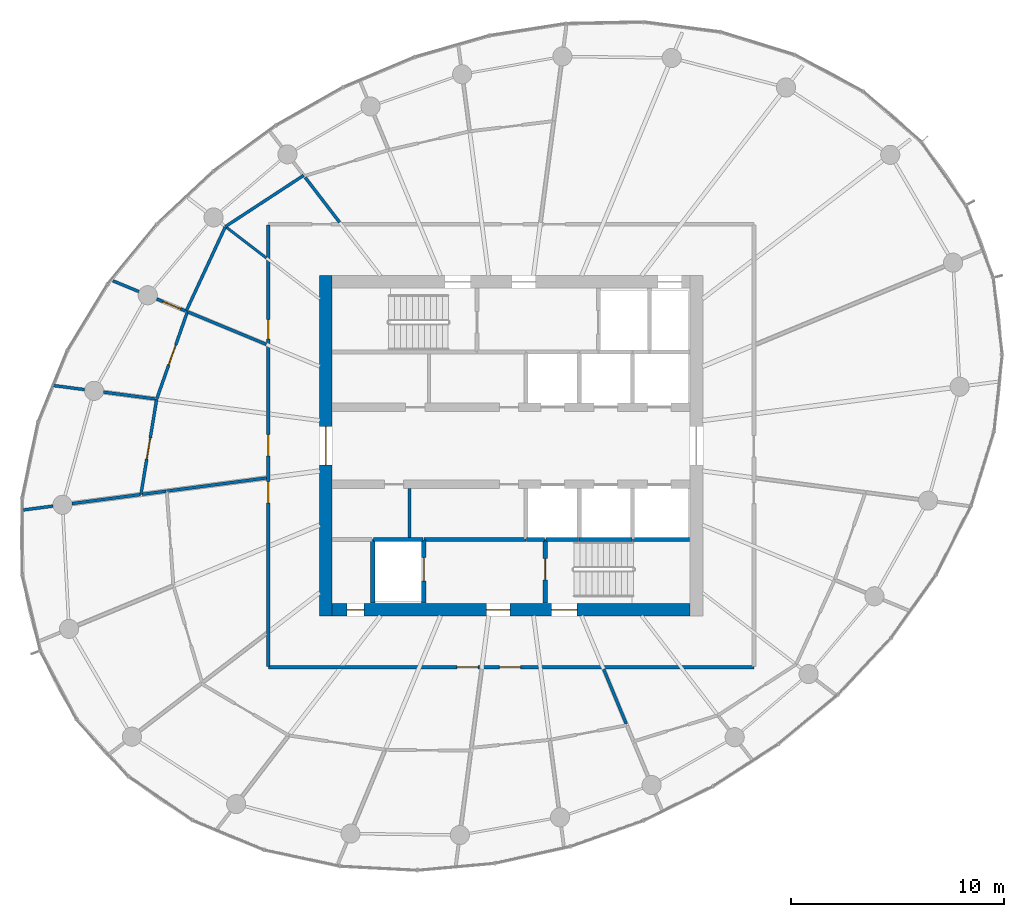
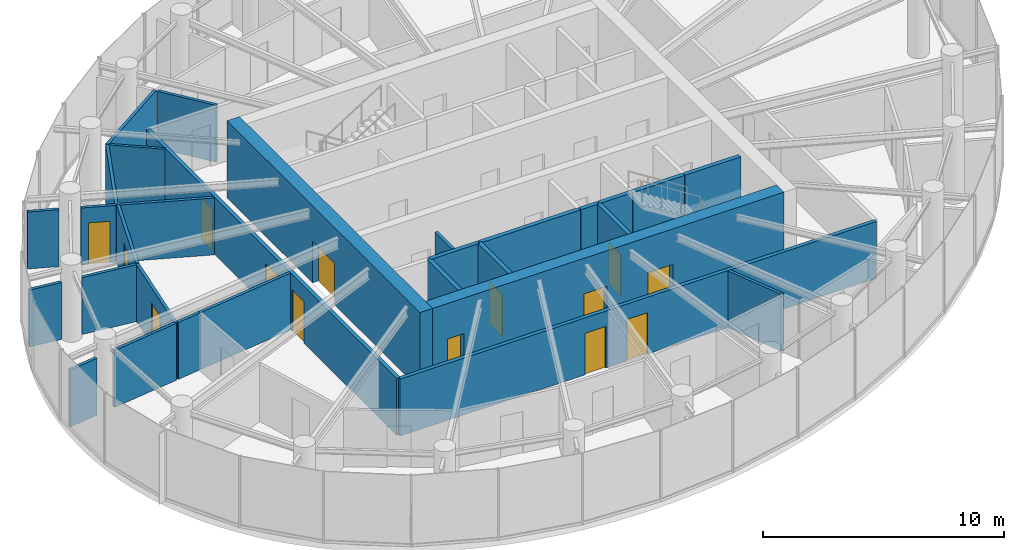
# One storey, part 9 of 13: 30 walls, 14 doors, 14 openings.
"""IFC4 building model written with IfcOpenShell, lengths in metres."""

from ifc_helpers import new_model, si_unit, direction, frame, frame_2d, origin, place, context, subcontext, project, spatial, rectangle, extrude, source, transform, mapped, material, layer, layer_set, type_object, element, fill, save


model = new_model("IFC4")

# Units and contexts
model_context = context("Model", 3, precision=1e-05, world=origin(), true_north=direction((0.0, 1.0)))
body_context = subcontext(model_context, "Body", "Model", "MODEL_VIEW")
ifc_project = project(units=[si_unit("LENGTHUNIT", "METRE"), si_unit("AREAUNIT", "SQUARE_METRE"), si_unit("VOLUMEUNIT", "CUBIC_METRE"), si_unit("PLANEANGLEUNIT", "RADIAN"), si_unit("MASSUNIT", "GRAM", prefix="KILO")], contexts=[model_context])

# Site, building, storey
site_placement = place(None, origin())
site = spatial("IfcSite", under=ifc_project, at=site_placement, CompositionType="ELEMENT")
building_placement = place(site_placement, origin())
building = spatial("IfcBuilding", under=site, at=building_placement, Name="Spindrift Exchange Tower", CompositionType="ELEMENT")
storey_placement = place(building_placement, frame((0.0, 0.0, 222.800048828125)))
storey = spatial("IfcBuildingStorey", under=building, at=storey_placement, Name="L54", CompositionType="ELEMENT", Elevation=222.800048828125)

# Wall, opening, door
ifc_material_1 = material(Name="Concrete 50 MPa", Category="concrete")
ifc_layer_1 = layer(ifc_material_1, 0.60009765625)
ifc_layer_set_1 = layer_set([ifc_layer_1], Name="RC Core Wall 600 Concrete 50 MPa")
wall_type_1 = type_object("IfcWallType", Name="RC Core Wall 600 Concrete 50 MPa", PredefinedType="SHEAR", material=ifc_layer_set_1)
wall_1_placement = place(storey_placement, frame((43.300048828125, 56.0, 0.0), z_axis=(0.0, 0.0, 1.0), x_axis=(0.0, -1.0, 0.0)))
wall_1 = element("IfcWall", 1, at=wall_1_placement, inside=storey, type_object=wall_type_1, Name="Core wall W L54", PredefinedType="SHEAR", context=body_context, shape_type="SweptSolid", body=[
    extrude(rectangle(XDim=16.0, YDim=0.60009765625, at=frame_2d((8.0, 0.0))), origin(), (0.0, 0.0, 1.0), 3.89990234375),
])
opening_1_placement = place(wall_1_placement, frame((7.10009765625, 0.0, 0.0)))
opening_1 = element("IfcOpeningElement", 2, at=opening_1_placement, cuts=wall_1, Name="Opening L54-D1", PredefinedType="OPENING", context=body_context, shape_type="SweptSolid", body=[
    extrude(rectangle(XDim=1.800048828125, YDim=2.10009765625, at=frame_2d((0.89990234375, 1.050048828125))), frame((0.0, 0.31005859375, 0.0), z_axis=(0.0, -1.0, 0.0), x_axis=(1.0, 0.0, 0.0)), (0.0, 0.0, 1.0), 0.6201171875),
])
ifc_material_2 = material(Name="Timber-core fire door", Category="wood")
door_type_1 = type_object("IfcDoorType", Name="DR-LOBBY-1800", OperationType="NOTDEFINED", PredefinedType="DOOR", material=ifc_material_2)
shared_shape_1 = source(origin(), body_context, "Body", "SweptSolid", [
    extrude(rectangle(XDim=1.800048828125, YDim=2.10009765625, at=frame_2d((0.89990234375, 1.050048828125))), frame((0.0, 0.02490234375, 0.0), z_axis=(0.0, -1.0, 0.0), x_axis=(1.0, 0.0, 0.0)), (0.0, 0.0, 1.0), 0.050048828125),
])
door_1_placement = place(opening_1_placement, origin())
door_1 = element("IfcDoor", 3, at=door_1_placement, inside=storey, type_object=door_type_1, Name="L54 Lobby door 1", OperationType="SINGLE_SWING_RIGHT", OverallHeight=2.10009765625, OverallWidth=1.800048828125, PredefinedType="DOOR", context=body_context, shape_type="MappedRepresentation", body=[
    mapped(shared_shape_1, transform((0.0, 0.0, 0.0), scale=1.0)),
])
fill(opening_1, door_1)

# Wall, openings, doors
wall_2_placement = place(storey_placement, frame((43.60009765625, 40.300048828125, 0.0), z_axis=(0.0, 0.0, 1.0), x_axis=(1.0, 0.0, 0.0)))
wall_2 = element("IfcWall", 4, at=wall_2_placement, inside=storey, type_object=wall_type_1, Name="Core wall S L54", PredefinedType="SHEAR", context=body_context, shape_type="SweptSolid", body=[
    extrude(rectangle(XDim=16.7998046875, YDim=0.60009765625, at=frame_2d((8.39990234375, 0.0))), origin(), (0.0, 0.0, 1.0), 3.89990234375),
])
opening_2_placement = place(wall_2_placement, frame((10.300048828125, 0.0, 0.0)))
opening_2 = element("IfcOpeningElement", 5, at=opening_2_placement, cuts=wall_2, Name="Opening L54-D15", PredefinedType="OPENING", context=body_context, shape_type="SweptSolid", body=[
    extrude(rectangle(XDim=1.199951171875, YDim=2.10009765625, at=frame_2d((0.60009765625, 1.050048828125))), frame((0.0, 0.31005859375, 0.0), z_axis=(0.0, -1.0, 0.0), x_axis=(1.0, 0.0, 0.0)), (0.0, 0.0, 1.0), 0.6201171875),
])
opening_3_placement = place(wall_2_placement, frame((7.25, 0.0, 0.0)))
opening_3 = element("IfcOpeningElement", 6, at=opening_3_placement, cuts=wall_2, Name="Opening L54-D17", PredefinedType="OPENING", context=body_context, shape_type="SweptSolid", body=[
    extrude(rectangle(XDim=1.10009765625, YDim=2.10009765625, at=frame_2d((0.550048828125, 1.050048828125))), frame((0.0, 0.31005859375, 0.0), z_axis=(0.0, -1.0, 0.0), x_axis=(1.0, 0.0, 0.0)), (0.0, 0.0, 1.0), 0.6201171875),
])
opening_4_placement = place(wall_2_placement, frame((0.699951171875, 0.0, 0.0)))
opening_4 = element("IfcOpeningElement", 7, at=opening_4_placement, cuts=wall_2, Name="Opening L54-D18", PredefinedType="OPENING", context=body_context, shape_type="SweptSolid", body=[
    extrude(rectangle(XDim=0.800048828125, YDim=2.10009765625, at=frame_2d((0.39990234375, 1.050048828125))), frame((0.0, 0.31005859375, 0.0), z_axis=(0.0, -1.0, 0.0), x_axis=(1.0, 0.0, 0.0)), (0.0, 0.0, 1.0), 0.6201171875),
])
ifc_material_3 = material(Name="Steel fire door", Category="steel")
door_type_2 = type_object("IfcDoorType", Name="DR-STAIR-1200", OperationType="NOTDEFINED", PredefinedType="DOOR", material=ifc_material_3)
shared_shape_2 = source(origin(), body_context, "Body", "SweptSolid", [
    extrude(rectangle(XDim=1.199951171875, YDim=2.10009765625, at=frame_2d((0.60009765625, 1.050048828125))), frame((0.0, 0.02490234375, 0.0), z_axis=(0.0, -1.0, 0.0), x_axis=(1.0, 0.0, 0.0)), (0.0, 0.0, 1.0), 0.050048828125),
])
door_2_placement = place(opening_2_placement, origin())
door_2 = element("IfcDoor", 8, at=door_2_placement, inside=storey, type_object=door_type_2, Name="L54 Stair door 15", OperationType="SINGLE_SWING_LEFT", OverallHeight=2.10009765625, OverallWidth=1.199951171875, PredefinedType="DOOR", context=body_context, shape_type="MappedRepresentation", body=[
    mapped(shared_shape_2, transform((0.0, 0.0, 0.0), scale=1.0)),
])
fill(opening_2, door_2)
door_type_3 = type_object("IfcDoorType", Name="DR-LOBBY-1100", OperationType="NOTDEFINED", PredefinedType="DOOR", material=ifc_material_2)
shared_shape_3 = source(origin(), body_context, "Body", "SweptSolid", [
    extrude(rectangle(XDim=1.10009765625, YDim=2.10009765625, at=frame_2d((0.550048828125, 1.050048828125))), frame((0.0, 0.02490234375, 0.0), z_axis=(0.0, -1.0, 0.0), x_axis=(1.0, 0.0, 0.0)), (0.0, 0.0, 1.0), 0.050048828125),
])
door_3_placement = place(opening_3_placement, origin())
door_3 = element("IfcDoor", 9, at=door_3_placement, inside=storey, type_object=door_type_3, Name="L54 Lobby door 17", OperationType="SINGLE_SWING_LEFT", OverallHeight=2.10009765625, OverallWidth=1.10009765625, PredefinedType="DOOR", context=body_context, shape_type="MappedRepresentation", body=[
    mapped(shared_shape_3, transform((0.0, 0.0, 0.0), scale=1.0)),
])
fill(opening_3, door_3)
ifc_material_4 = material(Name="Steel access door", Category="steel")
door_type_4 = type_object("IfcDoorType", Name="DR-RISER-800", OperationType="NOTDEFINED", PredefinedType="DOOR", material=ifc_material_4)
shared_shape_4 = source(origin(), body_context, "Body", "SweptSolid", [
    extrude(rectangle(XDim=0.800048828125, YDim=2.10009765625, at=frame_2d((0.39990234375, 1.050048828125))), frame((0.0, 0.02490234375, 0.0), z_axis=(0.0, -1.0, 0.0), x_axis=(1.0, 0.0, 0.0)), (0.0, 0.0, 1.0), 0.050048828125),
])
door_4_placement = place(opening_4_placement, origin())
door_4 = element("IfcDoor", 10, at=door_4_placement, inside=storey, type_object=door_type_4, Name="L54 Riser door 18", OperationType="SINGLE_SWING_RIGHT", OverallHeight=2.10009765625, OverallWidth=0.800048828125, PredefinedType="DOOR", context=body_context, shape_type="MappedRepresentation", body=[
    mapped(shared_shape_4, transform((0.0, 0.0, 0.0), scale=1.0)),
])
fill(opening_4, door_4)

ifc_material_5 = material(Name="Fire-rated plasterboard partition", Category="gypsum")
ifc_layer_2 = layer(ifc_material_5, 0.179931640625)
ifc_layer_set_2 = layer_set([ifc_layer_2], Name="W-CORR-180")
wall_type_2 = type_object("IfcWallType", Name="W-CORR-180", PredefinedType="PARTITIONING", material=ifc_layer_set_2)
wall_3_placement = place(storey_placement, frame((63.39990234375, 37.60009765625, 0.0), z_axis=(0.0, 0.0, 1.0), x_axis=(-1.0, 0.0, 0.0)))
wall_3 = element("IfcWall", 11, at=wall_3_placement, inside=storey, type_object=wall_type_2, Name="L54 Partition wall 28", PredefinedType="PARTITIONING", context=body_context, shape_type="SweptSolid", body=[
    extrude(rectangle(XDim=22.7998046875, YDim=0.179931640625, at=frame_2d((11.39990234375, 0.0))), origin(), (0.0, 0.0, 1.0), 2.8798828125),
])
opening_5_placement = place(wall_3_placement, frame((12.949951171875, 0.0, 0.0)))
opening_5 = element("IfcOpeningElement", 12, at=opening_5_placement, cuts=wall_3, Name="Opening L54-D27", PredefinedType="OPENING", context=body_context, shape_type="SweptSolid", body=[
    extrude(rectangle(XDim=1.0, YDim=2.10009765625, at=frame_2d((0.5, 1.050048828125))), frame((0.0, 0.099853515625, 0.0), z_axis=(0.0, -1.0, 0.0), x_axis=(1.0, 0.0, 0.0)), (0.0, 0.0, 1.0), 0.199951171875),
])
opening_6_placement = place(wall_3_placement, frame((10.949951171875, 0.0, 0.0)))
opening_6 = element("IfcOpeningElement", 13, at=opening_6_placement, cuts=wall_3, Name="Opening L54-D31", PredefinedType="OPENING", context=body_context, shape_type="SweptSolid", body=[
    extrude(rectangle(XDim=1.0, YDim=2.10009765625, at=frame_2d((0.5, 1.050048828125))), frame((0.0, 0.099853515625, 0.0), z_axis=(0.0, -1.0, 0.0), x_axis=(1.0, 0.0, 0.0)), (0.0, 0.0, 1.0), 0.199951171875),
])
door_type_5 = type_object("IfcDoorType", Name="DR-ROOM-1000", OperationType="NOTDEFINED", PredefinedType="DOOR", material=ifc_material_2)
shared_shape_5 = source(origin(), body_context, "Body", "SweptSolid", [
    extrude(rectangle(XDim=1.0, YDim=2.10009765625, at=frame_2d((0.5, 1.050048828125))), frame((0.0, 0.02490234375, 0.0), z_axis=(0.0, -1.0, 0.0), x_axis=(1.0, 0.0, 0.0)), (0.0, 0.0, 1.0), 0.050048828125),
])
door_5_placement = place(opening_5_placement, origin())
door_5 = element("IfcDoor", 14, at=door_5_placement, inside=storey, type_object=door_type_5, Name="L54 Door 27", OperationType="SINGLE_SWING_LEFT", OverallHeight=2.10009765625, OverallWidth=1.0, PredefinedType="DOOR", context=body_context, shape_type="MappedRepresentation", body=[
    mapped(shared_shape_5, transform((0.0, 0.0, 0.0), scale=1.0)),
])
fill(opening_5, door_5)
door_6_placement = place(opening_6_placement, origin())
door_6 = element("IfcDoor", 15, at=door_6_placement, inside=storey, type_object=door_type_5, Name="L54 Door 31", OperationType="SINGLE_SWING_LEFT", OverallHeight=2.10009765625, OverallWidth=1.0, PredefinedType="DOOR", context=body_context, shape_type="MappedRepresentation", body=[
    mapped(shared_shape_5, transform((0.0, 0.0, 0.0), scale=1.0)),
])
fill(opening_6, door_6)

wall_4_placement = place(storey_placement, frame((40.60009765625, 37.6298828125, 0.0), z_axis=(0.0, 0.0, 1.0), x_axis=(0.0, 1.0, 0.0)))
wall_4 = element("IfcWall", 16, at=wall_4_placement, inside=storey, type_object=wall_type_2, Name="L54 Partition wall 30", PredefinedType="PARTITIONING", context=body_context, shape_type="SweptSolid", body=[
    extrude(rectangle(XDim=20.740234375, YDim=0.179931640625, at=frame_2d((10.3701171875, 0.0))), origin(), (0.0, 0.0, 1.0), 2.8798828125),
])
opening_7_placement = place(wall_4_placement, frame((15.389892578125, 0.0, 0.0)))
opening_7 = element("IfcOpeningElement", 17, at=opening_7_placement, cuts=wall_4, Name="Opening L54-D20", PredefinedType="OPENING", context=body_context, shape_type="SweptSolid", body=[
    extrude(rectangle(XDim=0.89990234375, YDim=2.10009765625, at=frame_2d((0.449951171875, 1.050048828125))), frame((0.0, 0.099853515625, 0.0), z_axis=(0.0, -1.0, 0.0), x_axis=(1.0, 0.0, 0.0)), (0.0, 0.0, 1.0), 0.199951171875),
])
opening_8_placement = place(wall_4_placement, frame((9.889892578125, 0.0, 0.0)))
opening_8 = element("IfcOpeningElement", 18, at=opening_8_placement, cuts=wall_4, Name="Opening L54-D21", PredefinedType="OPENING", context=body_context, shape_type="SweptSolid", body=[
    extrude(rectangle(XDim=1.0, YDim=2.10009765625, at=frame_2d((0.5, 1.050048828125))), frame((0.0, 0.099853515625, 0.0), z_axis=(0.0, -1.0, 0.0), x_axis=(1.0, 0.0, 0.0)), (0.0, 0.0, 1.0), 0.199951171875),
])
opening_9_placement = place(wall_4_placement, frame((7.68994140625, 0.0, 0.0)))
opening_9 = element("IfcOpeningElement", 19, at=opening_9_placement, cuts=wall_4, Name="Opening L54-D24", PredefinedType="OPENING", context=body_context, shape_type="SweptSolid", body=[
    extrude(rectangle(XDim=1.0, YDim=2.10009765625, at=frame_2d((0.5, 1.050048828125))), frame((0.0, 0.099853515625, 0.0), z_axis=(0.0, -1.0, 0.0), x_axis=(1.0, 0.0, 0.0)), (0.0, 0.0, 1.0), 0.199951171875),
])
door_7_placement = place(opening_8_placement, origin())
door_7 = element("IfcDoor", 20, at=door_7_placement, inside=storey, type_object=door_type_5, Name="L54 Door 21", OperationType="SINGLE_SWING_LEFT", OverallHeight=2.10009765625, OverallWidth=1.0, PredefinedType="DOOR", context=body_context, shape_type="MappedRepresentation", body=[
    mapped(shared_shape_5, transform((0.0, 0.0, 0.0), scale=1.0)),
])
fill(opening_8, door_7)
door_8_placement = place(opening_9_placement, origin())
door_8 = element("IfcDoor", 21, at=door_8_placement, inside=storey, type_object=door_type_5, Name="L54 Door 24", OperationType="SINGLE_SWING_RIGHT", OverallHeight=2.10009765625, OverallWidth=1.0, PredefinedType="DOOR", context=body_context, shape_type="MappedRepresentation", body=[
    mapped(shared_shape_5, transform((0.0, 0.0, 0.0), scale=1.0)),
])
fill(opening_9, door_8)
ifc_material_6 = material(Name="Laminate washroom door", Category="wood")
door_type_6 = type_object("IfcDoorType", Name="DR-WC-900", OperationType="NOTDEFINED", PredefinedType="DOOR", material=ifc_material_6)
shared_shape_6 = source(origin(), body_context, "Body", "SweptSolid", [
    extrude(rectangle(XDim=0.89990234375, YDim=2.10009765625, at=frame_2d((0.449951171875, 1.050048828125))), frame((0.0, 0.02490234375, 0.0), z_axis=(0.0, -1.0, 0.0), x_axis=(1.0, 0.0, 0.0)), (0.0, 0.0, 1.0), 0.050048828125),
])
door_9_placement = place(opening_7_placement, origin())
door_9 = element("IfcDoor", 22, at=door_9_placement, inside=storey, type_object=door_type_6, Name="L54 WC door 20", OperationType="SINGLE_SWING_RIGHT", OverallHeight=2.10009765625, OverallWidth=0.89990234375, PredefinedType="DOOR", context=body_context, shape_type="MappedRepresentation", body=[
    mapped(shared_shape_6, transform((0.0, 0.0, 0.0), scale=1.0)),
])
fill(opening_7, door_9)

# Wall
ifc_layer_3 = layer(ifc_material_5, 0.139892578125)
ifc_layer_set_3 = layer_set([ifc_layer_3], Name="W-PART-140")
wall_type_3 = type_object("IfcWallType", Name="W-PART-140", PredefinedType="PARTITIONING", material=ifc_layer_set_3)
wall_5_placement = place(storey_placement, frame((40.510009765625, 46.4873046875, 0.0), z_axis=(0.0, 0.0, 1.0), x_axis=(-0.99144583503, -0.13051879635, 0.0)))
element("IfcWall", 23, at=wall_5_placement, inside=storey, type_object=wall_type_3, Name="L54 Partition wall 35", PredefinedType="PARTITIONING", context=body_context, shape_type="SweptSolid", body=[
    extrude(rectangle(XDim=4.715576171875, YDim=0.139892578125, at=frame_2d((2.35791015625, 0.0))), origin(), (0.0, 0.0, 1.0), 2.8798828125),
])

# Wall, opening, door
wall_6_placement = place(storey_placement, frame((34.6201171875, 45.7119140625, 0.0), z_axis=(0.0, 0.0, 1.0), x_axis=(0.163116833083, 0.986606759943, 0.0)))
wall_6 = element("IfcWall", 24, at=wall_6_placement, inside=storey, type_object=wall_type_3, Name="L54 Partition wall 39", PredefinedType="PARTITIONING", context=body_context, shape_type="SweptSolid", body=[
    extrude(rectangle(XDim=4.53955078125, YDim=0.139892578125, at=frame_2d((2.269775390625, 0.0))), origin(), (0.0, 0.0, 1.0), 2.8798828125),
])
opening_10_placement = place(wall_6_placement, frame((1.689453125, 0.0, 0.0)))
opening_10 = element("IfcOpeningElement", 25, at=opening_10_placement, cuts=wall_6, Name="Opening L54-D23", PredefinedType="OPENING", context=body_context, shape_type="SweptSolid", body=[
    extrude(rectangle(XDim=1.0, YDim=2.10009765625, at=frame_2d((0.5, 1.050048828125))), frame((0.0, 0.079833984375, 0.0), z_axis=(0.0, -1.0, 0.0), x_axis=(1.0, 0.0, 0.0)), (0.0, 0.0, 1.0), 0.159912109375),
])
door_10_placement = place(opening_10_placement, origin())
door_10 = element("IfcDoor", 26, at=door_10_placement, inside=storey, type_object=door_type_5, Name="L54 Door 23", OperationType="SINGLE_SWING_LEFT", OverallHeight=2.10009765625, OverallWidth=1.0, PredefinedType="DOOR", context=body_context, shape_type="MappedRepresentation", body=[
    mapped(shared_shape_5, transform((0.0, 0.0, 0.0), scale=1.0)),
])
fill(opening_10, door_10)

# Walls
wall_7_placement = place(storey_placement, frame((42.260009765625, 60.693603515625, 0.0), z_axis=(0.0, 0.0, 1.0), x_axis=(-0.836812752169, -0.547489194238, 0.0)))
element("IfcWall", 27, at=wall_7_placement, inside=storey, type_object=wall_type_3, Name="L54 Partition wall 41", PredefinedType="PARTITIONING", context=body_context, shape_type="SweptSolid", body=[
    extrude(rectangle(XDim=4.387939453125, YDim=0.139892578125, at=frame_2d((2.19384765625, 0.0))), origin(), (0.0, 0.0, 1.0), 2.8798828125),
])
wall_8_placement = place(storey_placement, frame((38.57568359375, 58.263916015625, 0.0), z_axis=(0.0, 0.0, 1.0), x_axis=(-0.421068424285, -0.907028876095, 0.0)))
element("IfcWall", 28, at=wall_8_placement, inside=storey, type_object=wall_type_3, Name="L54 Partition wall 42", PredefinedType="PARTITIONING", context=body_context, shape_type="SweptSolid", body=[
    extrude(rectangle(XDim=4.34912109375, YDim=0.139892578125, at=frame_2d((2.174560546875, 0.0))), origin(), (0.0, 0.0, 1.0), 2.8798828125),
])

# Wall, opening, door
wall_9_placement = place(storey_placement, frame((35.37060546875, 50.218994140625, 0.0), z_axis=(0.0, 0.0, 1.0), x_axis=(0.331994733927, 0.943281239421, 0.0)))
wall_9 = element("IfcWall", 29, at=wall_9_placement, inside=storey, type_object=wall_type_3, Name="L54 Partition wall 45", PredefinedType="PARTITIONING", context=body_context, shape_type="SweptSolid", body=[
    extrude(rectangle(XDim=4.3173828125, YDim=0.139892578125, at=frame_2d((2.15869140625, 0.0))), origin(), (0.0, 0.0, 1.0), 2.8798828125),
])
opening_11_placement = place(wall_9_placement, frame((1.66748046875, 0.0, 0.0)))
opening_11 = element("IfcOpeningElement", 30, at=opening_11_placement, cuts=wall_9, Name="Opening L54-D22", PredefinedType="OPENING", context=body_context, shape_type="SweptSolid", body=[
    extrude(rectangle(XDim=1.0, YDim=2.10009765625, at=frame_2d((0.5, 1.050048828125))), frame((0.0, 0.079833984375, 0.0), z_axis=(0.0, -1.0, 0.0), x_axis=(1.0, 0.0, 0.0)), (0.0, 0.0, 1.0), 0.159912109375),
])
door_11_placement = place(opening_11_placement, origin())
door_11 = element("IfcDoor", 31, at=door_11_placement, inside=storey, type_object=door_type_5, Name="L54 Door 22", OperationType="SINGLE_SWING_RIGHT", OverallHeight=2.10009765625, OverallWidth=1.0, PredefinedType="DOOR", context=body_context, shape_type="MappedRepresentation", body=[
    mapped(shared_shape_5, transform((0.0, 0.0, 0.0), scale=1.0)),
])
fill(opening_11, door_11)

# Walls
wall_10_placement = place(storey_placement, frame((40.510009765625, 52.75927734375, 0.0), z_axis=(0.0, 0.0, 1.0), x_axis=(-0.923877031545, 0.382689470177, 0.0)))
element("IfcWall", 32, at=wall_10_placement, inside=storey, type_object=wall_type_3, Name="L54 Partition wall 49", PredefinedType="PARTITIONING", context=body_context, shape_type="SweptSolid", body=[
    extrude(rectangle(XDim=3.980224609375, YDim=0.139892578125, at=frame_2d((1.990234375, 0.0))), origin(), (0.0, 0.0, 1.0), 2.8798828125),
])
wall_11_placement = place(storey_placement, frame((34.59033203125, 45.7080078125, 0.0), z_axis=(0.0, 0.0, 1.0), x_axis=(-0.991442456357, -0.130544458839, 0.0)))
element("IfcWall", 33, at=wall_11_placement, inside=storey, type_object=wall_type_3, Name="L54 Partition wall 61", PredefinedType="PARTITIONING", context=body_context, shape_type="SweptSolid", body=[
    extrude(rectangle(XDim=3.229736328125, YDim=0.139892578125, at=frame_2d((1.61474609375, 0.0))), origin(), (0.0, 0.0, 1.0), 2.8798828125),
])
wall_12_placement = place(storey_placement, frame((56.34521484375, 37.510009765625, 0.0), z_axis=(0.0, 0.0, 1.0), x_axis=(0.382628810216, -0.923902155855, 0.0)))
element("IfcWall", 34, at=wall_12_placement, inside=storey, type_object=wall_type_3, Name="L54 Partition wall 63", PredefinedType="PARTITIONING", context=body_context, shape_type="SweptSolid", body=[
    extrude(rectangle(XDim=2.776123046875, YDim=0.139892578125, at=frame_2d((1.38818359375, 0.0))), origin(), (0.0, 0.0, 1.0), 2.8798828125),
])
wall_13_placement = place(storey_placement, frame((43.95068359375, 58.489990234375, 0.0), z_axis=(0.0, 0.0, 1.0), x_axis=(-0.608724660366, 0.793381552509, 0.0)))
element("IfcWall", 35, at=wall_13_placement, inside=storey, type_object=wall_type_3, Name="L54 Partition wall 64", PredefinedType="PARTITIONING", context=body_context, shape_type="SweptSolid", body=[
    extrude(rectangle(XDim=2.657470703125, YDim=0.139892578125, at=frame_2d((1.32861328125, 0.0))), origin(), (0.0, 0.0, 1.0), 2.8798828125),
])
wall_14_placement = place(storey_placement, frame((35.291259765625, 50.19970703125, 0.0), z_axis=(0.0, 0.0, 1.0), x_axis=(-0.991443064915, 0.130539836957, 0.0)))
element("IfcWall", 36, at=wall_14_placement, inside=storey, type_object=wall_type_3, Name="L54 Partition wall 66", PredefinedType="PARTITIONING", context=body_context, shape_type="SweptSolid", body=[
    extrude(rectangle(XDim=2.442626953125, YDim=0.139892578125, at=frame_2d((1.22119140625, 0.0))), origin(), (0.0, 0.0, 1.0), 2.8798828125),
])
wall_15_placement = place(storey_placement, frame((47.239990234375, 43.699951171875, 0.0), z_axis=(0.0, 0.0, 1.0), x_axis=(0.0, 1.0, 0.0)))
element("IfcWall", 37, at=wall_15_placement, inside=storey, type_object=wall_type_3, Name="L54 Partition wall 68", PredefinedType="PARTITIONING", context=body_context, shape_type="SweptSolid", body=[
    extrude(rectangle(XDim=2.2900390625, YDim=0.139892578125, at=frame_2d((1.14501953125, 0.0))), origin(), (0.0, 0.0, 1.0), 2.8798828125),
])

# Wall, opening, door
wall_16_placement = place(storey_placement, frame((35.361083984375, 54.89208984375, 0.0), z_axis=(0.0, 0.0, 1.0), x_axis=(0.923887056475, -0.382665267404, 0.0)))
wall_16 = element("IfcWall", 38, at=wall_16_placement, inside=storey, type_object=wall_type_3, Name="L54 Partition wall 74", PredefinedType="PARTITIONING", context=body_context, shape_type="SweptSolid", body=[
    extrude(rectangle(XDim=1.46728515625, YDim=0.139892578125, at=frame_2d((0.733642578125, 0.0))), origin(), (0.0, 0.0, 1.0), 2.8798828125),
])
opening_12_placement = place(wall_16_placement, frame((0.3173828125, 0.0, 0.0)))
opening_12 = element("IfcOpeningElement", 39, at=opening_12_placement, cuts=wall_16, Name="Opening L54-D49", PredefinedType="OPENING", context=body_context, shape_type="SweptSolid", body=[
    extrude(rectangle(XDim=0.89990234375, YDim=2.10009765625, at=frame_2d((0.449951171875, 1.050048828125))), frame((0.0, 0.079833984375, 0.0), z_axis=(0.0, -1.0, 0.0), x_axis=(1.0, 0.0, 0.0)), (0.0, 0.0, 1.0), 0.159912109375),
])
door_type_7 = type_object("IfcDoorType", Name="DR-ROOM-900", OperationType="NOTDEFINED", PredefinedType="DOOR", material=ifc_material_2)
shared_shape_7 = source(origin(), body_context, "Body", "SweptSolid", [
    extrude(rectangle(XDim=0.89990234375, YDim=2.10009765625, at=frame_2d((0.449951171875, 1.050048828125))), frame((0.0, 0.02490234375, 0.0), z_axis=(0.0, -1.0, 0.0), x_axis=(1.0, 0.0, 0.0)), (0.0, 0.0, 1.0), 0.050048828125),
])
door_12_placement = place(opening_12_placement, origin())
door_12 = element("IfcDoor", 40, at=door_12_placement, inside=storey, type_object=door_type_7, Name="L54 Door 49", OperationType="SINGLE_SWING_LEFT", OverallHeight=2.10009765625, OverallWidth=0.89990234375, PredefinedType="DOOR", context=body_context, shape_type="MappedRepresentation", body=[
    mapped(shared_shape_7, transform((0.0, 0.0, 0.0), scale=1.0)),
])
fill(opening_12, door_12)

# Walls
wall_17_placement = place(storey_placement, frame((31.968505859375, 50.63720703125, 0.0), z_axis=(0.0, 0.0, 1.0), x_axis=(-0.991438884998, 0.130571579275, 0.0)))
element("IfcWall", 41, at=wall_17_placement, inside=storey, type_object=wall_type_3, Name="L54 Partition wall 76", PredefinedType="PARTITIONING", context=body_context, shape_type="SweptSolid", body=[
    extrude(rectangle(XDim=1.45654296875, YDim=0.139892578125, at=frame_2d((0.728271484375, 0.0))), origin(), (0.0, 0.0, 1.0), 2.8798828125),
])
wall_18_placement = place(storey_placement, frame((30.487060546875, 45.167724609375, 0.0), z_axis=(0.0, 0.0, 1.0), x_axis=(-0.991443005709, -0.130540286617, 0.0)))
element("IfcWall", 42, at=wall_18_placement, inside=storey, type_object=wall_type_3, Name="L54 Partition wall 77", PredefinedType="PARTITIONING", context=body_context, shape_type="SweptSolid", body=[
    extrude(rectangle(XDim=1.39892578125, YDim=0.139892578125, at=frame_2d((0.699462890625, 0.0))), origin(), (0.0, 0.0, 1.0), 2.8798828125),
])
wall_19_placement = place(storey_placement, frame((34.520263671875, 55.240478515625, 0.0), z_axis=(0.0, 0.0, 1.0), x_axis=(-0.923901775897, 0.382629727666, 0.0)))
element("IfcWall", 43, at=wall_19_placement, inside=storey, type_object=wall_type_3, Name="L54 Partition wall 79", PredefinedType="PARTITIONING", context=body_context, shape_type="SweptSolid", body=[
    extrude(rectangle(XDim=1.31884765625, YDim=0.139892578125, at=frame_2d((0.659423828125, 0.0))), origin(), (0.0, 0.0, 1.0), 2.8798828125),
])
wall_20_placement = place(storey_placement, frame((35.804931640625, 45.867919921875, 0.0), z_axis=(0.0, 0.0, 1.0), x_axis=(-0.991439475548, -0.130567095112, 0.0)))
element("IfcWall", 44, at=wall_20_placement, inside=storey, type_object=wall_type_3, Name="L54 Partition wall 80", PredefinedType="PARTITIONING", context=body_context, shape_type="SweptSolid", body=[
    extrude(rectangle(XDim=1.121826171875, YDim=0.139892578125, at=frame_2d((0.56103515625, 0.0))), origin(), (0.0, 0.0, 1.0), 2.8798828125),
])
ifc_material_7 = material(Name="Concrete 40 MPa", Category="concrete")
ifc_layer_4 = layer(ifc_material_7, 0.199951171875)
ifc_layer_set_4 = layer_set([ifc_layer_4], Name="W-SHAFT-200")
wall_type_4 = type_object("IfcWallType", Name="W-SHAFT-200", PredefinedType="SOLIDWALL", material=ifc_layer_set_4)
wall_21_placement = place(storey_placement, frame((52.699951171875, 43.60009765625, 0.0), z_axis=(0.0, 0.0, 1.0), x_axis=(-1.0, 0.0, 0.0)))
element("IfcWall", 45, at=wall_21_placement, inside=storey, type_object=wall_type_4, Name="L54 Shaft wall 2", PredefinedType="SOLIDWALL", context=body_context, shape_type="SweptSolid", body=[
    extrude(rectangle(XDim=4.800048828125, YDim=0.199951171875, at=frame_2d((2.39990234375, 0.0))), origin(), (0.0, 0.0, 1.0), 3.579833984375),
])
wall_22_placement = place(storey_placement, frame((45.5, 43.60009765625, 0.0), z_axis=(0.0, 0.0, 1.0), x_axis=(0.0, -1.0, 0.0)))
element("IfcWall", 46, at=wall_22_placement, inside=storey, type_object=wall_type_4, Name="L54 Shaft wall 3", PredefinedType="SOLIDWALL", context=body_context, shape_type="SweptSolid", body=[
    extrude(rectangle(XDim=2.97998046875, YDim=0.199951171875, at=frame_2d((1.489990234375, 0.0))), origin(), (0.0, 0.0, 1.0), 3.579833984375),
])

# Wall, opening, door
wall_23_placement = place(storey_placement, frame((47.89990234375, 40.6201171875, 0.0), z_axis=(0.0, 0.0, 1.0), x_axis=(0.0, 1.0, 0.0)))
wall_23 = element("IfcWall", 47, at=wall_23_placement, inside=storey, type_object=wall_type_4, Name="L54 Shaft wall 4", PredefinedType="SOLIDWALL", context=body_context, shape_type="SweptSolid", body=[
    extrude(rectangle(XDim=2.949951171875, YDim=0.199951171875, at=frame_2d((1.47509765625, 0.0))), origin(), (0.0, 0.0, 1.0), 3.579833984375),
])
opening_13_placement = place(wall_23_placement, frame((1.030029296875, 0.0, 0.0)))
opening_13 = element("IfcOpeningElement", 48, at=opening_13_placement, cuts=wall_23, Name="Opening L54-D10", PredefinedType="OPENING", context=body_context, shape_type="SweptSolid", body=[
    extrude(rectangle(XDim=1.10009765625, YDim=2.10009765625, at=frame_2d((0.550048828125, 1.050048828125))), frame((0.0, 0.10986328125, 0.0), z_axis=(0.0, -1.0, 0.0), x_axis=(1.0, 0.0, 0.0)), (0.0, 0.0, 1.0), 0.219970703125),
])
ifc_material_8 = material(Name="Stainless steel landing door", Category="steel")
door_type_8 = type_object("IfcDoorType", Name="DR-LANDING-1100-SL", OperationType="DOUBLE_DOOR_SLIDING", PredefinedType="USERDEFINED", material=ifc_material_8)
shared_shape_8 = source(origin(), body_context, "Body", "SweptSolid", [
    extrude(rectangle(XDim=1.10009765625, YDim=2.10009765625, at=frame_2d((0.550048828125, 1.050048828125))), frame((0.0, 0.02490234375, 0.0), z_axis=(0.0, -1.0, 0.0), x_axis=(1.0, 0.0, 0.0)), (0.0, 0.0, 1.0), 0.050048828125),
])
door_13_placement = place(opening_13_placement, origin())
door_13 = element("IfcDoor", 49, at=door_13_placement, inside=storey, type_object=door_type_8, Name="L54 Lift landing door 10", ObjectType="LANDING DOOR", OperationType="DOUBLE_DOOR_SLIDING", OverallHeight=2.10009765625, OverallWidth=1.10009765625, PredefinedType="USERDEFINED", context=body_context, shape_type="MappedRepresentation", body=[
    mapped(shared_shape_8, transform((0.0, 0.0, 0.0), scale=1.0)),
])
fill(opening_13, door_13)

# Wall
wall_24_placement = place(storey_placement, frame((47.8701171875, 43.60009765625, 0.0), z_axis=(0.0, 0.0, 1.0), x_axis=(-1.0, 0.0, 0.0)))
element("IfcWall", 50, at=wall_24_placement, inside=storey, type_object=wall_type_4, Name="L54 Shaft wall 12", PredefinedType="SOLIDWALL", context=body_context, shape_type="SweptSolid", body=[
    extrude(rectangle(XDim=2.340087890625, YDim=0.199951171875, at=frame_2d((1.169921875, 0.0))), origin(), (0.0, 0.0, 1.0), 3.579833984375),
])

# Wall, opening, door
ifc_layer_5 = layer(ifc_material_7, 0.199951171875)
ifc_layer_set_5 = layer_set([ifc_layer_5], Name="W-SHAFT-200-LB")
wall_type_5 = type_object("IfcWallType", Name="W-SHAFT-200-LB", PredefinedType="SOLIDWALL", material=ifc_layer_set_5)
wall_25_placement = place(storey_placement, frame((53.60009765625, 43.60009765625, 0.0), z_axis=(0.0, 0.0, 1.0), x_axis=(0.0, -1.0, 0.0)))
wall_25 = element("IfcWall", 51, at=wall_25_placement, inside=storey, type_object=wall_type_5, Name="L54 Shaft wall 6", PredefinedType="SOLIDWALL", context=body_context, shape_type="SweptSolid", body=[
    extrude(rectangle(XDim=2.97998046875, YDim=0.199951171875, at=frame_2d((1.489990234375, 0.0))), origin(), (0.0, 0.0, 1.0), 3.579833984375),
])
opening_14_placement = place(wall_25_placement, frame((0.89990234375, 0.0, 0.0)))
opening_14 = element("IfcOpeningElement", 52, at=opening_14_placement, cuts=wall_25, Name="Opening L54-D16", PredefinedType="OPENING", context=body_context, shape_type="SweptSolid", body=[
    extrude(rectangle(XDim=1.0, YDim=2.10009765625, at=frame_2d((0.5, 1.050048828125))), frame((0.0, 0.10986328125, 0.0), z_axis=(0.0, -1.0, 0.0), x_axis=(1.0, 0.0, 0.0)), (0.0, 0.0, 1.0), 0.219970703125),
])
door_type_9 = type_object("IfcDoorType", Name="DR-STAIR-1000", OperationType="NOTDEFINED", PredefinedType="DOOR", material=ifc_material_3)
shared_shape_9 = source(origin(), body_context, "Body", "SweptSolid", [
    extrude(rectangle(XDim=1.0, YDim=2.10009765625, at=frame_2d((0.5, 1.050048828125))), frame((0.0, 0.02490234375, 0.0), z_axis=(0.0, -1.0, 0.0), x_axis=(1.0, 0.0, 0.0)), (0.0, 0.0, 1.0), 0.050048828125),
])
door_14_placement = place(opening_14_placement, origin())
door_14 = element("IfcDoor", 53, at=door_14_placement, inside=storey, type_object=door_type_9, Name="L54 Stair door 16", OperationType="SINGLE_SWING_RIGHT", OverallHeight=2.10009765625, OverallWidth=1.0, PredefinedType="DOOR", context=body_context, shape_type="MappedRepresentation", body=[
    mapped(shared_shape_9, transform((0.0, 0.0, 0.0), scale=1.0)),
])
fill(opening_14, door_14)

# Walls
wall_26_placement = place(storey_placement, frame((57.699951171875, 43.60009765625, 0.0), z_axis=(0.0, 0.0, 1.0), x_axis=(1.0, 0.0, 0.0)))
element("IfcWall", 54, at=wall_26_placement, inside=storey, type_object=wall_type_5, Name="L54 Shaft wall 9", PredefinedType="SOLIDWALL", context=body_context, shape_type="SweptSolid", body=[
    extrude(rectangle(XDim=2.679931640625, YDim=0.199951171875, at=frame_2d((1.33984375, 0.0))), origin(), (0.0, 0.0, 1.0), 3.579833984375),
])
wall_27_placement = place(storey_placement, frame((55.199951171875, 43.60009765625, 0.0), z_axis=(0.0, 0.0, 1.0), x_axis=(1.0, 0.0, 0.0)))
element("IfcWall", 55, at=wall_27_placement, inside=storey, type_object=wall_type_5, Name="L54 Shaft wall 11", PredefinedType="SOLIDWALL", context=body_context, shape_type="SweptSolid", body=[
    extrude(rectangle(XDim=2.469970703125, YDim=0.199951171875, at=frame_2d((1.23486328125, 0.0))), origin(), (0.0, 0.0, 1.0), 3.579833984375),
])
wall_28_placement = place(storey_placement, frame((53.6298828125, 43.60009765625, 0.0), z_axis=(0.0, 0.0, 1.0), x_axis=(1.0, 0.0, 0.0)))
element("IfcWall", 56, at=wall_28_placement, inside=storey, type_object=wall_type_5, Name="L54 Shaft wall 22", PredefinedType="SOLIDWALL", context=body_context, shape_type="SweptSolid", body=[
    extrude(rectangle(XDim=1.5400390625, YDim=0.199951171875, at=frame_2d((0.77001953125, 0.0))), origin(), (0.0, 0.0, 1.0), 3.579833984375),
])
wall_29_placement = place(storey_placement, frame((52.72998046875, 43.60009765625, 0.0), z_axis=(0.0, 0.0, 1.0), x_axis=(1.0, 0.0, 0.0)))
element("IfcWall", 57, at=wall_29_placement, inside=storey, type_object=wall_type_5, Name="L54 Shaft wall 24", PredefinedType="SOLIDWALL", context=body_context, shape_type="SweptSolid", body=[
    extrude(rectangle(XDim=0.840087890625, YDim=0.199951171875, at=frame_2d((0.419921875, 0.0))), origin(), (0.0, 0.0, 1.0), 3.579833984375),
])
ifc_layer_6 = layer(ifc_material_5, 0.1201171875)
ifc_layer_set_6 = layer_set([ifc_layer_6], Name="W-WET-120")
wall_type_6 = type_object("IfcWallType", Name="W-WET-120", PredefinedType="PARTITIONING", material=ifc_layer_set_6)
wall_30_placement = place(storey_placement, frame((40.510009765625, 56.816650390625, 0.0), z_axis=(0.0, 0.0, 1.0), x_axis=(-0.793338522039, 0.608780740044, 0.0)))
element("IfcWall", 58, at=wall_30_placement, inside=storey, type_object=wall_type_6, Name="L54 Partition wall 98", PredefinedType="PARTITIONING", context=body_context, shape_type="SweptSolid", body=[
    extrude(rectangle(XDim=2.34814453125, YDim=0.1201171875, at=frame_2d((1.174072265625, 0.0))), origin(), (0.0, 0.0, 1.0), 2.8798828125),
])

save(model, "model.ifc")
